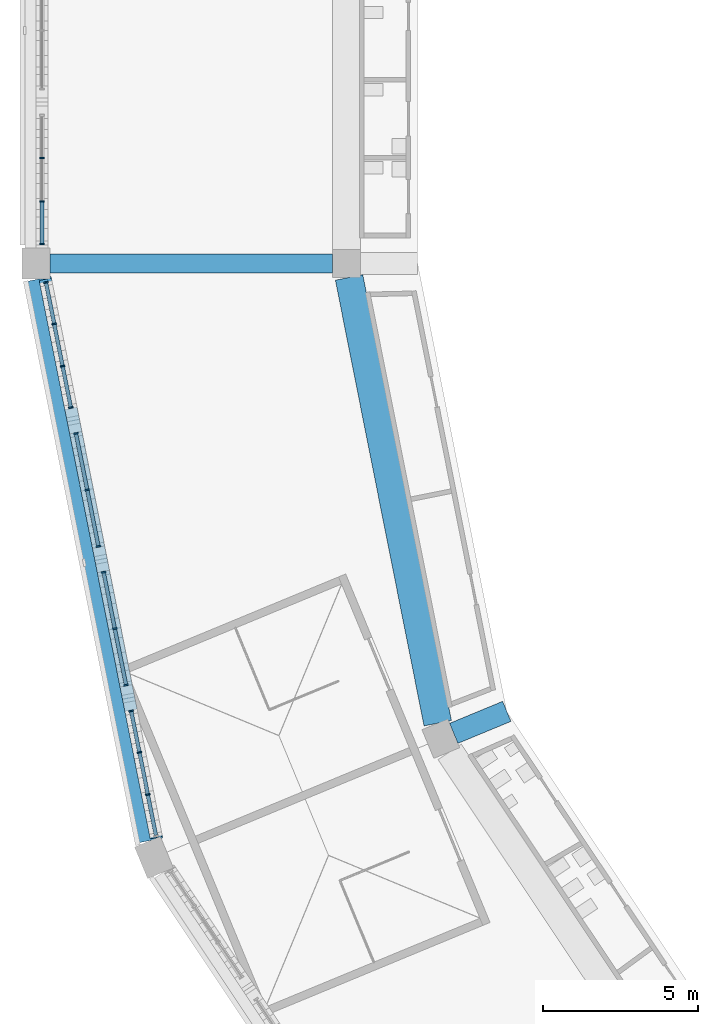
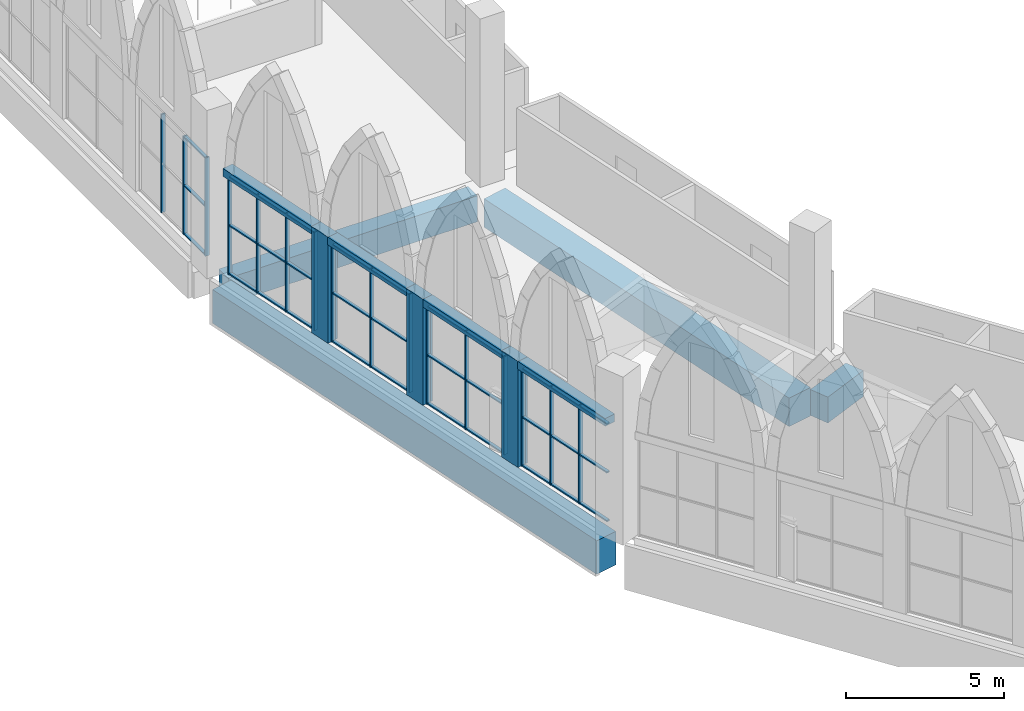
# One storey, part 7 of 130: 52 members, 8 beams, 5 elements without a shape of their own.
"""IFC4 building model written with IfcOpenShell, lengths in metres."""

from ifc_helpers import new_model, si_unit, direction, frame, origin, origin_2d, place, context, subcontext, project, spatial, rectangle, extrude, material, material_profile, profile_set, type_object, element, aggregate, save


model = new_model("IFC4")

# Units and contexts
model_context = context("Model", 3, precision=1e-05, world=origin(), true_north=direction((0.0, 1.0)))
body_context = subcontext(model_context, "Body", "Model", "MODEL_VIEW")
ifc_project = project(units=[si_unit("LENGTHUNIT", "METRE"), si_unit("AREAUNIT", "SQUARE_METRE"), si_unit("VOLUMEUNIT", "CUBIC_METRE"), si_unit("PLANEANGLEUNIT", "RADIAN"), si_unit("MASSUNIT", "GRAM", prefix="KILO")], contexts=[model_context])

# Site, building, storey
site_placement = place(None, origin())
site = spatial("IfcSite", under=ifc_project, at=site_placement, CompositionType="ELEMENT")
building_placement = place(site_placement, origin())
building = spatial("IfcBuilding", under=site, at=building_placement, Name="Ogive Plaza Stadium", CompositionType="ELEMENT")
storey_placement = place(building_placement, frame((0.0, 0.0, 22.5)))
storey = spatial("IfcBuildingStorey", under=building, at=storey_placement, Name="L05", CompositionType="ELEMENT", Elevation=22.5)

# Curtain wall, members
ifc_material_1 = material(Name="Bronze-anodised aluminium with laminated glass", Category="aluminium")
curtain_wall_type = type_object("IfcCurtainWallType", Name="Lancet curtain wall", PredefinedType="NOTDEFINED", material=ifc_material_1)
curtain_wall_1_placement = place(storey_placement, origin())
curtain_wall_1 = element("IfcCurtainWall", 1, at=curtain_wall_1_placement, inside=storey, type_object=curtain_wall_type, Name="CURTAIN WALL B20 L05", PredefinedType="NOTDEFINED")
ifc_material_2 = material(Name="Bronze-anodised aluminium", Category="aluminium")
ifc_material_profile_1 = material_profile(ifc_material_2, rectangle(XDim=0.14990234375, YDim=0.050048828125, at=origin_2d()), Name="AL 150x50")
ifc_profile_set_1 = profile_set([ifc_material_profile_1], Name="Bronze-anodised aluminium")
member_type_1 = type_object("IfcMemberType", Name="Curtain wall mullion 50x150", PredefinedType="MULLION", material=ifc_profile_set_1)
member_1_placement = place(storey_placement, frame((-80.39306640625, -69.608154296875, 0.0), z_axis=(0.0, 0.0, 1.0), x_axis=(-0.980785280413, -0.195090321965, 0.0)))
member_1 = element("IfcMember", 2, at=member_1_placement, type_object=member_type_1, Name="CW-B20-L05.1 mullion 2", PredefinedType="MULLION", context=body_context, shape_type="SweptSolid", body=[
    extrude(rectangle(XDim=0.14990234375, YDim=0.050048828125, at=origin_2d()), origin(), (0.0, 0.0, 1.0), 3.800048828125),
])
member_2_placement = place(storey_placement, frame((-80.663330078125, -68.2490234375, 0.0), z_axis=(0.0, 0.0, 1.0), x_axis=(-0.980785280413, -0.195090321965, 0.0)))
member_2 = element("IfcMember", 3, at=member_2_placement, type_object=member_type_1, Name="CW-B20-L05.1 mullion 3", PredefinedType="MULLION", context=body_context, shape_type="SweptSolid", body=[
    extrude(rectangle(XDim=0.14990234375, YDim=0.050048828125, at=origin_2d()), origin(), (0.0, 0.0, 1.0), 3.800048828125),
])
member_3_placement = place(storey_placement, frame((-80.928955078125, -66.914306640625, 0.0), z_axis=(0.0, 0.0, 1.0), x_axis=(-0.980785280413, -0.195090321965, 0.0)))
member_3 = element("IfcMember", 4, at=member_3_placement, type_object=member_type_1, Name="CW-B20-L05.1 mullion 4", PredefinedType="MULLION", context=body_context, shape_type="SweptSolid", body=[
    extrude(rectangle(XDim=0.14990234375, YDim=0.050048828125, at=origin_2d()), origin(), (0.0, 0.0, 1.0), 3.800048828125),
])

curtain_wall_2_placement = place(storey_placement, origin())
curtain_wall_2 = element("IfcCurtainWall", 5, at=curtain_wall_2_placement, inside=storey, type_object=curtain_wall_type, Name="CURTAIN WALL B20 L05", PredefinedType="NOTDEFINED")
member_4_placement = place(storey_placement, frame((-81.0947265625, -66.080810546875, 0.0), z_axis=(0.0, 0.0, 1.0), x_axis=(-0.980785280376, -0.195090322153, 0.0)))
member_4 = element("IfcMember", 6, at=member_4_placement, type_object=member_type_1, Name="CW-B20-L05.2 mullion 1", PredefinedType="MULLION", context=body_context, shape_type="SweptSolid", body=[
    extrude(rectangle(XDim=0.14990234375, YDim=0.050048828125, at=origin_2d()), origin(), (0.0, 0.0, 1.0), 3.800048828125),
])
member_5_placement = place(storey_placement, frame((-81.456298828125, -64.262939453125, 0.0), z_axis=(0.0, 0.0, 1.0), x_axis=(-0.980785280376, -0.195090322153, 0.0)))
member_5 = element("IfcMember", 7, at=member_5_placement, type_object=member_type_1, Name="CW-B20-L05.2 mullion 2", PredefinedType="MULLION", context=body_context, shape_type="SweptSolid", body=[
    extrude(rectangle(XDim=0.14990234375, YDim=0.050048828125, at=origin_2d()), origin(), (0.0, 0.0, 1.0), 3.800048828125),
])
member_6_placement = place(storey_placement, frame((-81.81787109375, -62.44482421875, 0.0), z_axis=(0.0, 0.0, 1.0), x_axis=(-0.980785280376, -0.195090322153, 0.0)))
member_6 = element("IfcMember", 8, at=member_6_placement, type_object=member_type_1, Name="CW-B20-L05.2 mullion 3", PredefinedType="MULLION", context=body_context, shape_type="SweptSolid", body=[
    extrude(rectangle(XDim=0.14990234375, YDim=0.050048828125, at=origin_2d()), origin(), (0.0, 0.0, 1.0), 3.800048828125),
])

curtain_wall_3_placement = place(storey_placement, origin())
curtain_wall_3 = element("IfcCurtainWall", 9, at=curtain_wall_3_placement, inside=storey, type_object=curtain_wall_type, Name="CURTAIN WALL B20 L05", PredefinedType="NOTDEFINED")
member_7_placement = place(storey_placement, frame((-81.983642578125, -61.611328125, 0.0), z_axis=(0.0, 0.0, 1.0), x_axis=(-0.980785280427, -0.195090321896, 0.0)))
member_7 = element("IfcMember", 10, at=member_7_placement, type_object=member_type_1, Name="CW-B20-L05.3 mullion 1", PredefinedType="MULLION", context=body_context, shape_type="SweptSolid", body=[
    extrude(rectangle(XDim=0.14990234375, YDim=0.050048828125, at=origin_2d()), origin(), (0.0, 0.0, 1.0), 3.800048828125),
])
member_8_placement = place(storey_placement, frame((-82.345458984375, -59.793212890625, 0.0), z_axis=(0.0, 0.0, 1.0), x_axis=(-0.980785280427, -0.195090321896, 0.0)))
member_8 = element("IfcMember", 11, at=member_8_placement, type_object=member_type_1, Name="CW-B20-L05.3 mullion 2", PredefinedType="MULLION", context=body_context, shape_type="SweptSolid", body=[
    extrude(rectangle(XDim=0.14990234375, YDim=0.050048828125, at=origin_2d()), origin(), (0.0, 0.0, 1.0), 3.800048828125),
])
member_9_placement = place(storey_placement, frame((-82.70703125, -57.975341796875, 0.0), z_axis=(0.0, 0.0, 1.0), x_axis=(-0.980785280427, -0.195090321896, 0.0)))
member_9 = element("IfcMember", 12, at=member_9_placement, type_object=member_type_1, Name="CW-B20-L05.3 mullion 3", PredefinedType="MULLION", context=body_context, shape_type="SweptSolid", body=[
    extrude(rectangle(XDim=0.14990234375, YDim=0.050048828125, at=origin_2d()), origin(), (0.0, 0.0, 1.0), 3.800048828125),
])

curtain_wall_4_placement = place(storey_placement, origin())
curtain_wall_4 = element("IfcCurtainWall", 13, at=curtain_wall_4_placement, inside=storey, type_object=curtain_wall_type, Name="CURTAIN WALL B20 L05", PredefinedType="NOTDEFINED")
member_10_placement = place(storey_placement, frame((-82.872802734375, -57.1416015625, 0.0), z_axis=(0.0, 0.0, 1.0), x_axis=(-0.980785280413, -0.195090321965, 0.0)))
member_10 = element("IfcMember", 14, at=member_10_placement, type_object=member_type_1, Name="CW-B20-L05.4 mullion 1", PredefinedType="MULLION", context=body_context, shape_type="SweptSolid", body=[
    extrude(rectangle(XDim=0.14990234375, YDim=0.050048828125, at=origin_2d()), origin(), (0.0, 0.0, 1.0), 3.800048828125),
])
member_11_placement = place(storey_placement, frame((-83.13818359375, -55.80712890625, 0.0), z_axis=(0.0, 0.0, 1.0), x_axis=(-0.980785280413, -0.195090321965, 0.0)))
member_11 = element("IfcMember", 15, at=member_11_placement, type_object=member_type_1, Name="CW-B20-L05.4 mullion 2", PredefinedType="MULLION", context=body_context, shape_type="SweptSolid", body=[
    extrude(rectangle(XDim=0.14990234375, YDim=0.050048828125, at=origin_2d()), origin(), (0.0, 0.0, 1.0), 3.800048828125),
])
member_12_placement = place(storey_placement, frame((-83.40869140625, -54.447998046875, 0.0), z_axis=(0.0, 0.0, 1.0), x_axis=(-0.980785280413, -0.195090321965, 0.0)))
member_12 = element("IfcMember", 16, at=member_12_placement, type_object=member_type_1, Name="CW-B20-L05.4 mullion 3", PredefinedType="MULLION", context=body_context, shape_type="SweptSolid", body=[
    extrude(rectangle(XDim=0.14990234375, YDim=0.050048828125, at=origin_2d()), origin(), (0.0, 0.0, 1.0), 3.800048828125),
])
member_13_placement = place(storey_placement, frame((-83.674072265625, -53.113525390625, 0.0), z_axis=(0.0, 0.0, 1.0), x_axis=(-0.980785280413, -0.195090321965, 0.0)))
member_13 = element("IfcMember", 17, at=member_13_placement, type_object=member_type_1, Name="CW-B20-L05.4 mullion 4", PredefinedType="MULLION", context=body_context, shape_type="SweptSolid", body=[
    extrude(rectangle(XDim=0.14990234375, YDim=0.050048828125, at=origin_2d()), origin(), (0.0, 0.0, 1.0), 3.800048828125),
])

curtain_wall_5_placement = place(storey_placement, origin())
curtain_wall_5 = element("IfcCurtainWall", 18, at=curtain_wall_5_placement, inside=storey, type_object=curtain_wall_type, Name="CURTAIN WALL B21 L05", PredefinedType="NOTDEFINED")
member_14_placement = place(storey_placement, frame((-83.800048828125, -51.875, 0.0), z_axis=(0.0, 0.0, 1.0), x_axis=(-1.0, 0.0, 0.0)))
member_14 = element("IfcMember", 19, at=member_14_placement, type_object=member_type_1, Name="CW-B21-L05.1 mullion 1", PredefinedType="MULLION", context=body_context, shape_type="SweptSolid", body=[
    extrude(rectangle(XDim=0.14990234375, YDim=0.050048828125, at=origin_2d()), origin(), (0.0, 0.0, 1.0), 3.800048828125),
])
member_15_placement = place(storey_placement, frame((-83.800048828125, -50.5, 0.0), z_axis=(0.0, 0.0, 1.0), x_axis=(-1.0, 0.0, 0.0)))
member_15 = element("IfcMember", 20, at=member_15_placement, type_object=member_type_1, Name="CW-B21-L05.1 mullion 2", PredefinedType="MULLION", context=body_context, shape_type="SweptSolid", body=[
    extrude(rectangle(XDim=0.14990234375, YDim=0.050048828125, at=origin_2d()), origin(), (0.0, 0.0, 1.0), 3.800048828125),
])
member_16_placement = place(storey_placement, frame((-83.800048828125, -49.10009765625, 0.0), z_axis=(0.0, 0.0, 1.0), x_axis=(-1.0, 0.0, 0.0)))
member_16 = element("IfcMember", 21, at=member_16_placement, type_object=member_type_1, Name="CW-B21-L05.1 mullion 3", PredefinedType="MULLION", context=body_context, shape_type="SweptSolid", body=[
    extrude(rectangle(XDim=0.14990234375, YDim=0.050048828125, at=origin_2d()), origin(), (0.0, 0.0, 1.0), 3.800048828125),
])

# Member
ifc_material_3 = material(Name="Bronze-anodised aluminium", Category="aluminium")
ifc_material_profile_2 = material_profile(ifc_material_3, rectangle(XDim=0.1201171875, YDim=0.050048828125, at=origin_2d()), Name="AL 120x50")
ifc_profile_set_2 = profile_set([ifc_material_profile_2], Name="Bronze-anodised aluminium")
member_type_2 = type_object("IfcMemberType", Name="Curtain wall transom 50x120", PredefinedType="USERDEFINED", material=ifc_profile_set_2)
member_17_placement = place(storey_placement, frame((-80.132568359375, -70.91796875, 0.02490234375), z_axis=(-0.195041291255, 0.980795031954, 0.0), x_axis=(-0.980795031954, -0.195041291255, 0.0)))
member_17 = element("IfcMember", 22, at=member_17_placement, type_object=member_type_2, Name="CW-B20-L05.1 transom 1.1", ObjectType="TRANSOM", PredefinedType="USERDEFINED", context=body_context, shape_type="SweptSolid", body=[
    extrude(rectangle(XDim=0.1201171875, YDim=0.050048828125, at=origin_2d()), origin(), (0.0, 0.0, 1.0), 1.310546875),
])

member_18_placement = place(storey_placement, frame((-80.132568359375, -70.91796875, 1.89990234375), z_axis=(-0.195041291255, 0.980795031954, 0.0), x_axis=(-0.980795031954, -0.195041291255, 0.0)))
member_18 = element("IfcMember", 23, at=member_18_placement, type_object=member_type_2, Name="CW-B20-L05.1 transom 1.2", ObjectType="TRANSOM", PredefinedType="USERDEFINED", context=body_context, shape_type="SweptSolid", body=[
    extrude(rectangle(XDim=0.1201171875, YDim=0.050048828125, at=origin_2d()), origin(), (0.0, 0.0, 1.0), 1.310546875),
])

member_19_placement = place(storey_placement, frame((-80.132568359375, -70.91796875, 3.77490234375), z_axis=(-0.195041291255, 0.980795031954, 0.0), x_axis=(-0.980795031954, -0.195041291255, 0.0)))
member_19 = element("IfcMember", 24, at=member_19_placement, type_object=member_type_2, Name="CW-B20-L05.1 transom 1.3", ObjectType="TRANSOM", PredefinedType="USERDEFINED", context=body_context, shape_type="SweptSolid", body=[
    extrude(rectangle(XDim=0.1201171875, YDim=0.050048828125, at=origin_2d()), origin(), (0.0, 0.0, 1.0), 1.310546875),
])

member_20_placement = place(storey_placement, frame((-80.39794921875, -69.58349609375, 0.02490234375), z_axis=(-0.195026363475, 0.98079800038, 0.0), x_axis=(-0.98079800038, -0.195026363475, 0.0)))
member_20 = element("IfcMember", 25, at=member_20_placement, type_object=member_type_2, Name="CW-B20-L05.1 transom 2.1", ObjectType="TRANSOM", PredefinedType="USERDEFINED", context=body_context, shape_type="SweptSolid", body=[
    extrude(rectangle(XDim=0.1201171875, YDim=0.050048828125, at=origin_2d()), origin(), (0.0, 0.0, 1.0), 1.335693359375),
])

member_21_placement = place(storey_placement, frame((-80.39794921875, -69.58349609375, 1.89990234375), z_axis=(-0.195026363475, 0.98079800038, 0.0), x_axis=(-0.98079800038, -0.195026363475, 0.0)))
member_21 = element("IfcMember", 26, at=member_21_placement, type_object=member_type_2, Name="CW-B20-L05.1 transom 2.2", ObjectType="TRANSOM", PredefinedType="USERDEFINED", context=body_context, shape_type="SweptSolid", body=[
    extrude(rectangle(XDim=0.1201171875, YDim=0.050048828125, at=origin_2d()), origin(), (0.0, 0.0, 1.0), 1.335693359375),
])

member_22_placement = place(storey_placement, frame((-80.39794921875, -69.58349609375, 3.77490234375), z_axis=(-0.195026363475, 0.98079800038, 0.0), x_axis=(-0.98079800038, -0.195026363475, 0.0)))
member_22 = element("IfcMember", 27, at=member_22_placement, type_object=member_type_2, Name="CW-B20-L05.1 transom 2.3", ObjectType="TRANSOM", PredefinedType="USERDEFINED", context=body_context, shape_type="SweptSolid", body=[
    extrude(rectangle(XDim=0.1201171875, YDim=0.050048828125, at=origin_2d()), origin(), (0.0, 0.0, 1.0), 1.335693359375),
])

member_23_placement = place(storey_placement, frame((-80.668212890625, -68.224365234375, 0.02490234375), z_axis=(-0.195220480822, 0.980759381228, 0.0), x_axis=(-0.980759381228, -0.195220480822, 0.0)))
member_23 = element("IfcMember", 28, at=member_23_placement, type_object=member_type_2, Name="CW-B20-L05.1 transom 3.1", ObjectType="TRANSOM", PredefinedType="USERDEFINED", context=body_context, shape_type="SweptSolid", body=[
    extrude(rectangle(XDim=0.1201171875, YDim=0.050048828125, at=origin_2d()), origin(), (0.0, 0.0, 1.0), 1.310546875),
])

member_24_placement = place(storey_placement, frame((-80.668212890625, -68.224365234375, 1.89990234375), z_axis=(-0.195220480822, 0.980759381228, 0.0), x_axis=(-0.980759381228, -0.195220480822, 0.0)))
member_24 = element("IfcMember", 29, at=member_24_placement, type_object=member_type_2, Name="CW-B20-L05.1 transom 3.2", ObjectType="TRANSOM", PredefinedType="USERDEFINED", context=body_context, shape_type="SweptSolid", body=[
    extrude(rectangle(XDim=0.1201171875, YDim=0.050048828125, at=origin_2d()), origin(), (0.0, 0.0, 1.0), 1.310546875),
])

member_25_placement = place(storey_placement, frame((-80.668212890625, -68.224365234375, 3.77490234375), z_axis=(-0.195220480822, 0.980759381228, 0.0), x_axis=(-0.980759381228, -0.195220480822, 0.0)))
member_25 = element("IfcMember", 30, at=member_25_placement, type_object=member_type_2, Name="CW-B20-L05.1 transom 3.3", ObjectType="TRANSOM", PredefinedType="USERDEFINED", context=body_context, shape_type="SweptSolid", body=[
    extrude(rectangle(XDim=0.1201171875, YDim=0.050048828125, at=origin_2d()), origin(), (0.0, 0.0, 1.0), 1.310546875),
])

aggregate(curtain_wall_1, [member_1, member_2, member_3, member_17, member_18, member_19, member_20, member_21, member_22, member_23, member_24, member_25])

member_26_placement = place(storey_placement, frame((-81.099609375, -66.05615234375, 0.02490234375), z_axis=(-0.195074682096, 0.980788391247, 0.0), x_axis=(-0.980788391247, -0.195074682096, 0.0)))
member_26 = element("IfcMember", 31, at=member_26_placement, type_object=member_type_2, Name="CW-B20-L05.2 transom 1.1", ObjectType="TRANSOM", PredefinedType="USERDEFINED", context=body_context, shape_type="SweptSolid", body=[
    extrude(rectangle(XDim=0.1201171875, YDim=0.050048828125, at=origin_2d()), origin(), (0.0, 0.0, 1.0), 1.803466796875),
])

member_27_placement = place(storey_placement, frame((-81.099609375, -66.05615234375, 1.89990234375), z_axis=(-0.195074682096, 0.980788391247, 0.0), x_axis=(-0.980788391247, -0.195074682096, 0.0)))
member_27 = element("IfcMember", 32, at=member_27_placement, type_object=member_type_2, Name="CW-B20-L05.2 transom 1.2", ObjectType="TRANSOM", PredefinedType="USERDEFINED", context=body_context, shape_type="SweptSolid", body=[
    extrude(rectangle(XDim=0.1201171875, YDim=0.050048828125, at=origin_2d()), origin(), (0.0, 0.0, 1.0), 1.803466796875),
])

member_28_placement = place(storey_placement, frame((-81.099609375, -66.05615234375, 3.77490234375), z_axis=(-0.195074682096, 0.980788391247, 0.0), x_axis=(-0.980788391247, -0.195074682096, 0.0)))
member_28 = element("IfcMember", 33, at=member_28_placement, type_object=member_type_2, Name="CW-B20-L05.2 transom 1.3", ObjectType="TRANSOM", PredefinedType="USERDEFINED", context=body_context, shape_type="SweptSolid", body=[
    extrude(rectangle(XDim=0.1201171875, YDim=0.050048828125, at=origin_2d()), origin(), (0.0, 0.0, 1.0), 1.803466796875),
])

member_29_placement = place(storey_placement, frame((-81.461181640625, -64.23828125, 0.02490234375), z_axis=(-0.195074682096, 0.980788391247, 0.0), x_axis=(-0.980788391247, -0.195074682096, 0.0)))
member_29 = element("IfcMember", 34, at=member_29_placement, type_object=member_type_2, Name="CW-B20-L05.2 transom 2.1", ObjectType="TRANSOM", PredefinedType="USERDEFINED", context=body_context, shape_type="SweptSolid", body=[
    extrude(rectangle(XDim=0.1201171875, YDim=0.050048828125, at=origin_2d()), origin(), (0.0, 0.0, 1.0), 1.803466796875),
])

member_30_placement = place(storey_placement, frame((-81.461181640625, -64.23828125, 1.89990234375), z_axis=(-0.195074682096, 0.980788391247, 0.0), x_axis=(-0.980788391247, -0.195074682096, 0.0)))
member_30 = element("IfcMember", 35, at=member_30_placement, type_object=member_type_2, Name="CW-B20-L05.2 transom 2.2", ObjectType="TRANSOM", PredefinedType="USERDEFINED", context=body_context, shape_type="SweptSolid", body=[
    extrude(rectangle(XDim=0.1201171875, YDim=0.050048828125, at=origin_2d()), origin(), (0.0, 0.0, 1.0), 1.803466796875),
])

member_31_placement = place(storey_placement, frame((-81.461181640625, -64.23828125, 3.77490234375), z_axis=(-0.195074682096, 0.980788391247, 0.0), x_axis=(-0.980788391247, -0.195074682096, 0.0)))
member_31 = element("IfcMember", 36, at=member_31_placement, type_object=member_type_2, Name="CW-B20-L05.2 transom 2.3", ObjectType="TRANSOM", PredefinedType="USERDEFINED", context=body_context, shape_type="SweptSolid", body=[
    extrude(rectangle(XDim=0.1201171875, YDim=0.050048828125, at=origin_2d()), origin(), (0.0, 0.0, 1.0), 1.803466796875),
])

aggregate(curtain_wall_2, [member_4, member_5, member_6, member_26, member_27, member_28, member_29, member_30, member_31])

member_32_placement = place(storey_placement, frame((-81.988525390625, -61.586669921875, 0.02490234375), z_axis=(-0.195204899896, 0.980762482488, 0.0), x_axis=(-0.980762482488, -0.195204899896, 0.0)))
member_32 = element("IfcMember", 37, at=member_32_placement, type_object=member_type_2, Name="CW-B20-L05.3 transom 1.1", ObjectType="TRANSOM", PredefinedType="USERDEFINED", context=body_context, shape_type="SweptSolid", body=[
    extrude(rectangle(XDim=0.1201171875, YDim=0.050048828125, at=origin_2d()), origin(), (0.0, 0.0, 1.0), 1.803466796875),
])

member_33_placement = place(storey_placement, frame((-81.988525390625, -61.586669921875, 1.89990234375), z_axis=(-0.195204899896, 0.980762482488, 0.0), x_axis=(-0.980762482488, -0.195204899896, 0.0)))
member_33 = element("IfcMember", 38, at=member_33_placement, type_object=member_type_2, Name="CW-B20-L05.3 transom 1.2", ObjectType="TRANSOM", PredefinedType="USERDEFINED", context=body_context, shape_type="SweptSolid", body=[
    extrude(rectangle(XDim=0.1201171875, YDim=0.050048828125, at=origin_2d()), origin(), (0.0, 0.0, 1.0), 1.803466796875),
])

member_34_placement = place(storey_placement, frame((-81.988525390625, -61.586669921875, 3.77490234375), z_axis=(-0.195204899896, 0.980762482488, 0.0), x_axis=(-0.980762482488, -0.195204899896, 0.0)))
member_34 = element("IfcMember", 39, at=member_34_placement, type_object=member_type_2, Name="CW-B20-L05.3 transom 1.3", ObjectType="TRANSOM", PredefinedType="USERDEFINED", context=body_context, shape_type="SweptSolid", body=[
    extrude(rectangle(XDim=0.1201171875, YDim=0.050048828125, at=origin_2d()), origin(), (0.0, 0.0, 1.0), 1.803466796875),
])

member_35_placement = place(storey_placement, frame((-82.350341796875, -59.768798828125, 0.02490234375), z_axis=(-0.195074682096, 0.980788391247, 0.0), x_axis=(-0.980788391247, -0.195074682096, 0.0)))
member_35 = element("IfcMember", 40, at=member_35_placement, type_object=member_type_2, Name="CW-B20-L05.3 transom 2.1", ObjectType="TRANSOM", PredefinedType="USERDEFINED", context=body_context, shape_type="SweptSolid", body=[
    extrude(rectangle(XDim=0.1201171875, YDim=0.050048828125, at=origin_2d()), origin(), (0.0, 0.0, 1.0), 1.803466796875),
])

member_36_placement = place(storey_placement, frame((-82.350341796875, -59.768798828125, 1.89990234375), z_axis=(-0.195074682096, 0.980788391247, 0.0), x_axis=(-0.980788391247, -0.195074682096, 0.0)))
member_36 = element("IfcMember", 41, at=member_36_placement, type_object=member_type_2, Name="CW-B20-L05.3 transom 2.2", ObjectType="TRANSOM", PredefinedType="USERDEFINED", context=body_context, shape_type="SweptSolid", body=[
    extrude(rectangle(XDim=0.1201171875, YDim=0.050048828125, at=origin_2d()), origin(), (0.0, 0.0, 1.0), 1.803466796875),
])

member_37_placement = place(storey_placement, frame((-82.350341796875, -59.768798828125, 3.77490234375), z_axis=(-0.195074682096, 0.980788391247, 0.0), x_axis=(-0.980788391247, -0.195074682096, 0.0)))
member_37 = element("IfcMember", 42, at=member_37_placement, type_object=member_type_2, Name="CW-B20-L05.3 transom 2.3", ObjectType="TRANSOM", PredefinedType="USERDEFINED", context=body_context, shape_type="SweptSolid", body=[
    extrude(rectangle(XDim=0.1201171875, YDim=0.050048828125, at=origin_2d()), origin(), (0.0, 0.0, 1.0), 1.803466796875),
])

aggregate(curtain_wall_3, [member_7, member_8, member_9, member_32, member_33, member_34, member_35, member_36, member_37])

member_38_placement = place(storey_placement, frame((-82.877685546875, -57.1171875, 0.02490234375), z_axis=(-0.195041291255, 0.980795031954, 0.0), x_axis=(-0.980795031954, -0.195041291255, 0.0)))
member_38 = element("IfcMember", 43, at=member_38_placement, type_object=member_type_2, Name="CW-B20-L05.4 transom 1.1", ObjectType="TRANSOM", PredefinedType="USERDEFINED", context=body_context, shape_type="SweptSolid", body=[
    extrude(rectangle(XDim=0.1201171875, YDim=0.050048828125, at=origin_2d()), origin(), (0.0, 0.0, 1.0), 1.310546875),
])

member_39_placement = place(storey_placement, frame((-82.877685546875, -57.1171875, 1.89990234375), z_axis=(-0.195041291255, 0.980795031954, 0.0), x_axis=(-0.980795031954, -0.195041291255, 0.0)))
member_39 = element("IfcMember", 44, at=member_39_placement, type_object=member_type_2, Name="CW-B20-L05.4 transom 1.2", ObjectType="TRANSOM", PredefinedType="USERDEFINED", context=body_context, shape_type="SweptSolid", body=[
    extrude(rectangle(XDim=0.1201171875, YDim=0.050048828125, at=origin_2d()), origin(), (0.0, 0.0, 1.0), 1.310546875),
])

member_40_placement = place(storey_placement, frame((-82.877685546875, -57.1171875, 3.77490234375), z_axis=(-0.195041291255, 0.980795031954, 0.0), x_axis=(-0.980795031954, -0.195041291255, 0.0)))
member_40 = element("IfcMember", 45, at=member_40_placement, type_object=member_type_2, Name="CW-B20-L05.4 transom 1.3", ObjectType="TRANSOM", PredefinedType="USERDEFINED", context=body_context, shape_type="SweptSolid", body=[
    extrude(rectangle(XDim=0.1201171875, YDim=0.050048828125, at=origin_2d()), origin(), (0.0, 0.0, 1.0), 1.310546875),
])

member_41_placement = place(storey_placement, frame((-83.14306640625, -55.78271484375, 0.02490234375), z_axis=(-0.195202182075, 0.980763023423, 0.0), x_axis=(-0.980763023423, -0.195202182075, 0.0)))
member_41 = element("IfcMember", 46, at=member_41_placement, type_object=member_type_2, Name="CW-B20-L05.4 transom 2.1", ObjectType="TRANSOM", PredefinedType="USERDEFINED", context=body_context, shape_type="SweptSolid", body=[
    extrude(rectangle(XDim=0.1201171875, YDim=0.050048828125, at=origin_2d()), origin(), (0.0, 0.0, 1.0), 1.335693359375),
])

member_42_placement = place(storey_placement, frame((-83.14306640625, -55.78271484375, 1.89990234375), z_axis=(-0.195202182075, 0.980763023423, 0.0), x_axis=(-0.980763023423, -0.195202182075, 0.0)))
member_42 = element("IfcMember", 47, at=member_42_placement, type_object=member_type_2, Name="CW-B20-L05.4 transom 2.2", ObjectType="TRANSOM", PredefinedType="USERDEFINED", context=body_context, shape_type="SweptSolid", body=[
    extrude(rectangle(XDim=0.1201171875, YDim=0.050048828125, at=origin_2d()), origin(), (0.0, 0.0, 1.0), 1.335693359375),
])

member_43_placement = place(storey_placement, frame((-83.14306640625, -55.78271484375, 3.77490234375), z_axis=(-0.195202182075, 0.980763023423, 0.0), x_axis=(-0.980763023423, -0.195202182075, 0.0)))
member_43 = element("IfcMember", 48, at=member_43_placement, type_object=member_type_2, Name="CW-B20-L05.4 transom 2.3", ObjectType="TRANSOM", PredefinedType="USERDEFINED", context=body_context, shape_type="SweptSolid", body=[
    extrude(rectangle(XDim=0.1201171875, YDim=0.050048828125, at=origin_2d()), origin(), (0.0, 0.0, 1.0), 1.335693359375),
])

member_44_placement = place(storey_placement, frame((-83.41357421875, -54.423583984375, 0.02490234375), z_axis=(-0.195005661984, 0.980802116532, 0.0), x_axis=(-0.980802116532, -0.195005661984, 0.0)))
member_44 = element("IfcMember", 49, at=member_44_placement, type_object=member_type_2, Name="CW-B20-L05.4 transom 3.1", ObjectType="TRANSOM", PredefinedType="USERDEFINED", context=body_context, shape_type="SweptSolid", body=[
    extrude(rectangle(XDim=0.1201171875, YDim=0.050048828125, at=origin_2d()), origin(), (0.0, 0.0, 1.0), 1.310791015625),
])

member_45_placement = place(storey_placement, frame((-83.41357421875, -54.423583984375, 1.89990234375), z_axis=(-0.195005661984, 0.980802116532, 0.0), x_axis=(-0.980802116532, -0.195005661984, 0.0)))
member_45 = element("IfcMember", 50, at=member_45_placement, type_object=member_type_2, Name="CW-B20-L05.4 transom 3.2", ObjectType="TRANSOM", PredefinedType="USERDEFINED", context=body_context, shape_type="SweptSolid", body=[
    extrude(rectangle(XDim=0.1201171875, YDim=0.050048828125, at=origin_2d()), origin(), (0.0, 0.0, 1.0), 1.310791015625),
])

member_46_placement = place(storey_placement, frame((-83.41357421875, -54.423583984375, 3.77490234375), z_axis=(-0.195005661984, 0.980802116532, 0.0), x_axis=(-0.980802116532, -0.195005661984, 0.0)))
member_46 = element("IfcMember", 51, at=member_46_placement, type_object=member_type_2, Name="CW-B20-L05.4 transom 3.3", ObjectType="TRANSOM", PredefinedType="USERDEFINED", context=body_context, shape_type="SweptSolid", body=[
    extrude(rectangle(XDim=0.1201171875, YDim=0.050048828125, at=origin_2d()), origin(), (0.0, 0.0, 1.0), 1.310791015625),
])

aggregate(curtain_wall_4, [member_10, member_11, member_12, member_13, member_38, member_39, member_40, member_41, member_42, member_43, member_44, member_45, member_46])

member_47_placement = place(storey_placement, frame((-83.800048828125, -51.85009765625, 0.02490234375), z_axis=(0.0, 1.0, 0.0), x_axis=(-1.0, 0.0, 0.0)))
member_47 = element("IfcMember", 52, at=member_47_placement, type_object=member_type_2, Name="CW-B21-L05.1 transom 1.1", ObjectType="TRANSOM", PredefinedType="USERDEFINED", context=body_context, shape_type="SweptSolid", body=[
    extrude(rectangle(XDim=0.1201171875, YDim=0.050048828125, at=origin_2d()), origin(), (0.0, 0.0, 1.0), 1.3251953125),
])

member_48_placement = place(storey_placement, frame((-83.800048828125, -51.85009765625, 1.89990234375), z_axis=(0.0, 1.0, 0.0), x_axis=(-1.0, 0.0, 0.0)))
member_48 = element("IfcMember", 53, at=member_48_placement, type_object=member_type_2, Name="CW-B21-L05.1 transom 1.2", ObjectType="TRANSOM", PredefinedType="USERDEFINED", context=body_context, shape_type="SweptSolid", body=[
    extrude(rectangle(XDim=0.1201171875, YDim=0.050048828125, at=origin_2d()), origin(), (0.0, 0.0, 1.0), 1.3251953125),
])

member_49_placement = place(storey_placement, frame((-83.800048828125, -51.85009765625, 3.77490234375), z_axis=(0.0, 1.0, 0.0), x_axis=(-1.0, 0.0, 0.0)))
member_49 = element("IfcMember", 54, at=member_49_placement, type_object=member_type_2, Name="CW-B21-L05.1 transom 1.3", ObjectType="TRANSOM", PredefinedType="USERDEFINED", context=body_context, shape_type="SweptSolid", body=[
    extrude(rectangle(XDim=0.1201171875, YDim=0.050048828125, at=origin_2d()), origin(), (0.0, 0.0, 1.0), 1.3251953125),
])

aggregate(curtain_wall_5, [member_14, member_15, member_16, member_47, member_48, member_49])

# Members
ifc_material_4 = material(Name="Concrete C45/55 precast", Category="concrete")
ifc_material_profile_3 = material_profile(ifc_material_4, rectangle(XDim=0.39990234375, YDim=0.800048828125, at=origin_2d()), Name="RC 400x800")
ifc_profile_set_3 = profile_set([ifc_material_profile_3], Name="Concrete C45/55 precast")
member_type_3 = type_object("IfcMemberType", Name="Precast colonette 800x400", PredefinedType="POST", material=ifc_profile_set_3)
for number, where, z_axis, x_axis, name in (
    (55, (-81.01171875, -66.49755859375, 0.0), (0.0, 0.0, 1.0), (-0.980785280403, -0.195090322016, 0.0), "COLONETTE B20 1"),
    (56, (-81.90087890625, -62.028076171875, 0.0), (0.0, 0.0, 1.0), (-0.980785280403, -0.195090322016, 0.0), "COLONETTE B20 2"),
    (57, (-82.789794921875, -57.55859375, 0.0), (0.0, 0.0, 1.0), (-0.980785280403, -0.195090322016, 0.0), "COLONETTE B20 3"),
):
    element("IfcMember", number, at=place(storey_placement, frame(where, z_axis=z_axis, x_axis=x_axis)), inside=storey, type_object=member_type_3, Name=name, PredefinedType="POST", context=body_context, shape_type="SweptSolid", body=[
        extrude(rectangle(XDim=0.39990234375, YDim=0.800048828125, at=origin_2d()), origin(), (0.0, 0.0, 1.0), 4.10009765625),
    ])

# Beams
ifc_material_5 = material(Name="Concrete C45/55 precast", Category="concrete")
ifc_material_profile_4 = material_profile(ifc_material_5, rectangle(XDim=0.39990234375, YDim=0.300048828125, at=origin_2d()), Name="RC 400x300")
ifc_profile_set_4 = profile_set([ifc_material_profile_4], Name="Concrete C45/55 precast")
beam_type_1 = type_object("IfcBeamType", Name="Precast tympanum lintel 400x300", PredefinedType="BEAM", material=ifc_profile_set_4)
beam_1_placement = place(storey_placement, frame((-80.116943359375, -70.99658203125, 3.949951171875), z_axis=(-0.195102884914, 0.980782781404, 0.0), x_axis=(-0.980782781404, -0.195102884914, 0.0)))
element("IfcBeam", 58, at=beam_1_placement, inside=storey, type_object=beam_type_1, Name="TYMPANUM LINTEL B20 1", PredefinedType="BEAM", context=body_context, shape_type="SweptSolid", body=[
    extrude(rectangle(XDim=0.39990234375, YDim=0.300048828125, at=origin_2d()), origin(), (0.0, 0.0, 1.0), 4.217041015625),
])
beam_2_placement = place(storey_placement, frame((-81.083984375, -66.134765625, 3.949951171875), z_axis=(-0.19507056353, 0.980789210404, 0.0), x_axis=(-0.980789210404, -0.19507056353, 0.0)))
element("IfcBeam", 59, at=beam_2_placement, inside=storey, type_object=beam_type_1, Name="TYMPANUM LINTEL B20 2", PredefinedType="BEAM", context=body_context, shape_type="SweptSolid", body=[
    extrude(rectangle(XDim=0.39990234375, YDim=0.300048828125, at=origin_2d()), origin(), (0.0, 0.0, 1.0), 3.817138671875),
])
beam_3_placement = place(storey_placement, frame((-81.972900390625, -61.665283203125, 3.949951171875), z_axis=(-0.195132086194, 0.980776972067, 0.0), x_axis=(-0.980776972067, -0.195132086194, 0.0)))
element("IfcBeam", 60, at=beam_3_placement, inside=storey, type_object=beam_type_1, Name="TYMPANUM LINTEL B20 3", PredefinedType="BEAM", context=body_context, shape_type="SweptSolid", body=[
    extrude(rectangle(XDim=0.39990234375, YDim=0.300048828125, at=origin_2d()), origin(), (0.0, 0.0, 1.0), 3.8173828125),
])
beam_4_placement = place(storey_placement, frame((-82.862060546875, -57.195556640625, 3.949951171875), z_axis=(-0.195115003175, 0.980780370693, 0.0), x_axis=(-0.980780370693, -0.195115003175, 0.0)))
element("IfcBeam", 61, at=beam_4_placement, inside=storey, type_object=beam_type_1, Name="TYMPANUM LINTEL B20 4", PredefinedType="BEAM", context=body_context, shape_type="SweptSolid", body=[
    extrude(rectangle(XDim=0.39990234375, YDim=0.300048828125, at=origin_2d()), origin(), (0.0, 0.0, 1.0), 4.26806640625),
])
ifc_material_6 = material(Name="Concrete C40/50", Category="concrete")
ifc_material_profile_5 = material_profile(ifc_material_6, rectangle(XDim=0.60009765625, YDim=1.0, at=origin_2d()), Name="RC 600x1000")
ifc_profile_set_5 = profile_set([ifc_material_profile_5], Name="Concrete C40/50")
beam_type_2 = type_object("IfcBeamType", Name="RC radial beam 600x1000", PredefinedType="BEAM", material=ifc_profile_set_5)
beam_5_placement = place(storey_placement, frame((-74.449951171875, -52.5, -0.909912109375), z_axis=(-1.0, 0.0, 0.0), x_axis=(0.0, -1.0, 0.0)))
element("IfcBeam", 62, at=beam_5_placement, inside=storey, type_object=beam_type_2, Name="Radial beam L05 R21 F4F5", PredefinedType="BEAM", context=body_context, shape_type="SweptSolid", body=[
    extrude(rectangle(XDim=0.60009765625, YDim=1.0, at=origin_2d()), origin(), (0.0, 0.0, 1.0), 9.10009765625),
])
ifc_material_7 = material(Name="Concrete C40/50", Category="concrete")
ifc_material_profile_6 = material_profile(ifc_material_7, rectangle(XDim=0.699951171875, YDim=1.0, at=origin_2d()), Name="RC 700x1000")
ifc_profile_set_6 = profile_set([ifc_material_profile_6], Name="Concrete C40/50")
beam_type_3 = type_object("IfcBeamType", Name="RC radial beam 700x1000", PredefinedType="BEAM", material=ifc_profile_set_6)
beam_6_placement = place(storey_placement, frame((-68.830322265625, -66.92724609375, -0.909912109375), z_axis=(-0.923921946364, -0.382581020213, 0.0), x_axis=(0.382581020213, -0.923921946364, 0.0)))
element("IfcBeam", 63, at=beam_6_placement, inside=storey, type_object=beam_type_3, Name="Raker tail beam UT R20", PredefinedType="BEAM", context=body_context, shape_type="SweptSolid", body=[
    extrude(rectangle(XDim=0.699951171875, YDim=1.0, at=origin_2d()), origin(), (0.0, 0.0, 1.0), 1.849853515625),
])
ifc_material_8 = material(Name="Concrete C40/50", Category="concrete")
ifc_material_profile_7 = material_profile(ifc_material_8, rectangle(XDim=0.89990234375, YDim=1.10009765625, at=origin_2d()), Name="RC 900x1100")
ifc_profile_set_7 = profile_set([ifc_material_profile_7], Name="Concrete C40/50")
beam_type_4 = type_object("IfcBeamType", Name="RC ring beam 900x1100", PredefinedType="BEAM", material=ifc_profile_set_7)
beam_7_placement = place(storey_placement, frame((-71.0546875, -67.307373046875, -0.9599609375), z_axis=(-0.195080078519, 0.980787317906, 0.0), x_axis=(-0.980787317906, -0.195080078519, 0.0)))
element("IfcBeam", 64, at=beam_7_placement, inside=storey, type_object=beam_type_4, Name="Ring beam F4 L05 B20", PredefinedType="BEAM", context=body_context, shape_type="SweptSolid", body=[
    extrude(rectangle(XDim=0.89990234375, YDim=1.10009765625, at=origin_2d()), origin(), (0.0, 0.0, 1.0), 14.638671875),
])
ifc_material_9 = material(Name="Concrete C40/50", Category="concrete")
ifc_material_profile_8 = material_profile(ifc_material_9, rectangle(XDim=0.800048828125, YDim=1.300048828125, at=origin_2d()), Name="RC 800x1300")
ifc_profile_set_8 = profile_set([ifc_material_profile_8], Name="Concrete C40/50")
beam_type_5 = type_object("IfcBeamType", Name="RC spandrel beam 800x1300", PredefinedType="SPANDREL", material=ifc_profile_set_8)
beam_8_placement = place(storey_placement, frame((-80.303466796875, -71.084228515625, -1.06005859375), z_axis=(-0.195089866178, 0.980785371075, 0.0), x_axis=(-0.980785371075, -0.195089866178, 0.0)))
element("IfcBeam", 65, at=beam_8_placement, inside=storey, type_object=beam_type_5, Name="Ring beam F5 L05 B20", PredefinedType="SPANDREL", context=body_context, shape_type="SweptSolid", body=[
    extrude(rectangle(XDim=0.800048828125, YDim=1.300048828125, at=origin_2d()), origin(), (0.0, 0.0, 1.0), 18.4384765625),
])

save(model, "model.ifc")
